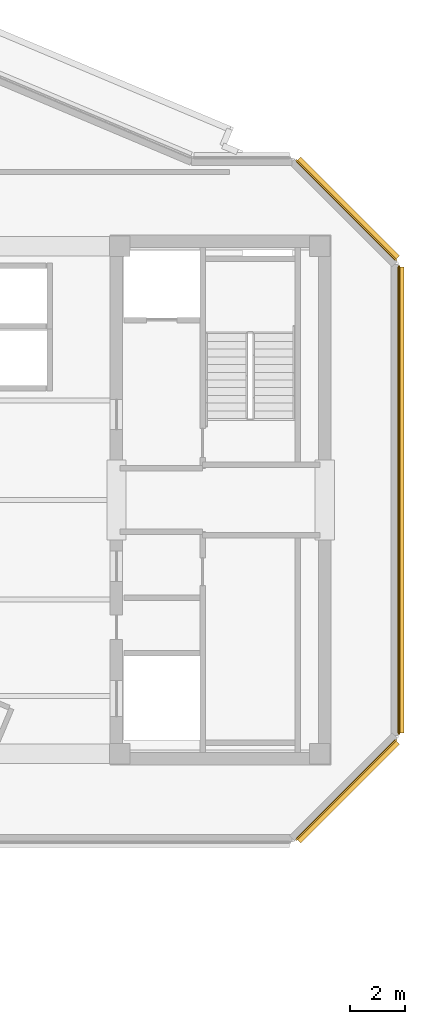
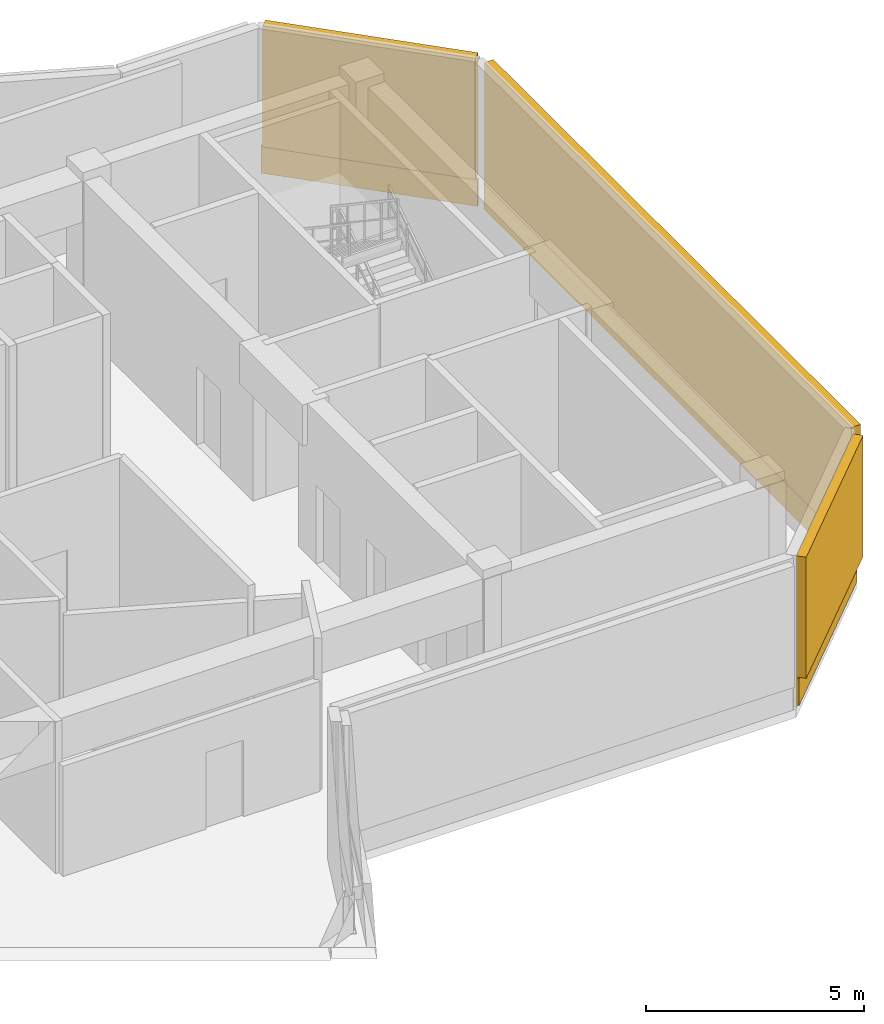
# One storey, part 6 of 6: 3 coverings, 3 shading devices.
"""IFC4 building model written with IfcOpenShell, lengths in metres."""

from ifc_helpers import new_model, si_unit, direction, frame, origin, origin_2d, place, context, subcontext, project, spatial, rectangle, extrude, source, transform, mapped, material, layer, layer_set, type_object, element, save


model = new_model("IFC4")

# Units and contexts
model_context = context("Model", 3, precision=1e-05, world=origin(), true_north=direction((0.0, 1.0)))
body_context = subcontext(model_context, "Body", "Model", "MODEL_VIEW")
ifc_project = project(units=[si_unit("LENGTHUNIT", "METRE"), si_unit("AREAUNIT", "SQUARE_METRE"), si_unit("VOLUMEUNIT", "CUBIC_METRE"), si_unit("PLANEANGLEUNIT", "RADIAN"), si_unit("MASSUNIT", "GRAM", prefix="KILO")], contexts=[model_context])

# Site, building, storey
site_placement = place(None, origin())
site = spatial("IfcSite", under=ifc_project, at=site_placement, CompositionType="ELEMENT")
building_placement = place(site_placement, origin())
building = spatial("IfcBuilding", under=site, at=building_placement, Name="Zahravan Cultural Tower", CompositionType="ELEMENT")
storey_placement = place(building_placement, frame((0.0, 0.0, 370.64990234375)))
storey = spatial("IfcBuildingStorey", under=building, at=storey_placement, Name="L90", CompositionType="ELEMENT", Elevation=370.64990234375)

# Coverings
ifc_material_1 = material(Name="Terracotta ceramic cladding", Category="masonry")
ifc_layer = layer(ifc_material_1, 0.06005859375)
ifc_layer_set = layer_set([ifc_layer], Name="Terracotta ceramic cladding")
covering_type = type_object("IfcCoveringType", Name="COV-CLAD-TC60", PredefinedType="CLADDING", material=ifc_layer_set)
shared_shape_1 = source(origin(), body_context, "Body", "SweptSolid", [
    extrude(rectangle(XDim=5.157958984375, YDim=0.06005859375, at=origin_2d()), origin(), (0.0, 0.0, 1.0), 0.760009765625),
])
for number, where, z_axis, x_axis, name in (
    (1, (51.310546875, 37.510498046875, 0.02001953125), (0.0, 0.0, 1.0), (0.707106781187, -0.707106781187, 0.0), "L90 Terracotta Spandrel Cladding 05"),
    (2, (51.310546875, 16.489501953125, 0.02001953125), (0.0, 0.0, 1.0), (-0.707106781187, -0.707106781187, 0.0), "L90 Terracotta Spandrel Cladding 07"),
):
    element("IfcCovering", number, at=place(storey_placement, frame(where, z_axis=z_axis, x_axis=x_axis)), inside=storey, type_object=covering_type, Name=name, PredefinedType="CLADDING", context=body_context, shape_type="MappedRepresentation", body=[
        mapped(shared_shape_1, transform((0.0, 0.0, 0.0), x_axis=(1.0, 0.0, 0.0), y_axis=(0.0, 1.0, 0.0), z_axis=(0.0, 0.0, 1.0), scale=1.0)),
    ])

# Shading devices
ifc_material_2 = material(Name="Architectural terracotta fin", Category="masonry")
shading_device_type = type_object("IfcShadingDeviceType", Name="SHD-LOUVRE-BAND", PredefinedType="JALOUSIE", material=ifc_material_2)
shared_shape_2 = source(origin(), body_context, "Body", "SweptSolid", [
    extrude(rectangle(XDim=5.05810546875, YDim=0.239990234375, at=origin_2d()), origin(), (0.0, 0.0, 1.0), 3.39990234375),
])
for number, where, z_axis, x_axis, name in (
    (3, (51.356689453125, 37.556640625, 0.780029296875), (0.0, 0.0, 1.0), (0.707106781187, -0.707106781187, 0.0), "L90 Terracotta Acoustic Louvre 04"),
    (4, (51.356689453125, 16.443359375, 0.780029296875), (0.0, 0.0, 1.0), (-0.707106781187, -0.707106781187, 0.0), "L90 Terracotta Acoustic Louvre 06"),
):
    element("IfcShadingDevice", number, at=place(storey_placement, frame(where, z_axis=z_axis, x_axis=x_axis)), inside=storey, type_object=shading_device_type, Name=name, PredefinedType="JALOUSIE", context=body_context, shape_type="MappedRepresentation", body=[
        mapped(shared_shape_2, transform((0.0, 0.0, 0.0), x_axis=(1.0, 0.0, 0.0), y_axis=(0.0, 1.0, 0.0), z_axis=(0.0, 0.0, 1.0), scale=1.0)),
    ])

# Covering
shared_shape_3 = source(origin(), body_context, "Body", "SweptSolid", [
    extrude(rectangle(XDim=16.98388671875, YDim=0.06005859375, at=origin_2d()), origin(), (0.0, 0.0, 1.0), 0.760009765625),
])
covering_placement = place(storey_placement, frame((53.215087890625, 27.0, 0.02001953125), z_axis=(0.0, 0.0, 1.0), x_axis=(0.0, -1.0, 0.0)))
element("IfcCovering", 5, at=covering_placement, inside=storey, type_object=covering_type, Name="L90 Terracotta Spandrel Cladding 06", PredefinedType="CLADDING", context=body_context, shape_type="MappedRepresentation", body=[
    mapped(shared_shape_3, transform((0.0, 0.0, 0.0), x_axis=(1.0, 0.0, 0.0), y_axis=(0.0, 1.0, 0.0), z_axis=(0.0, 0.0, 1.0), scale=1.0)),
])

# Shading device
shared_shape_4 = source(origin(), body_context, "Body", "SweptSolid", [
    extrude(rectangle(XDim=16.884033203125, YDim=0.239990234375, at=origin_2d()), origin(), (0.0, 0.0, 1.0), 3.39990234375),
])
shading_device_placement = place(storey_placement, frame((53.280029296875, 27.0, 0.780029296875), z_axis=(0.0, 0.0, 1.0), x_axis=(0.0, -1.0, 0.0)))
element("IfcShadingDevice", 6, at=shading_device_placement, inside=storey, type_object=shading_device_type, Name="L90 Terracotta Acoustic Louvre 05", PredefinedType="JALOUSIE", context=body_context, shape_type="MappedRepresentation", body=[
    mapped(shared_shape_4, transform((0.0, 0.0, 0.0), x_axis=(1.0, 0.0, 0.0), y_axis=(0.0, 1.0, 0.0), z_axis=(0.0, 0.0, 1.0), scale=1.0)),
])

save(model, "model.ifc")
